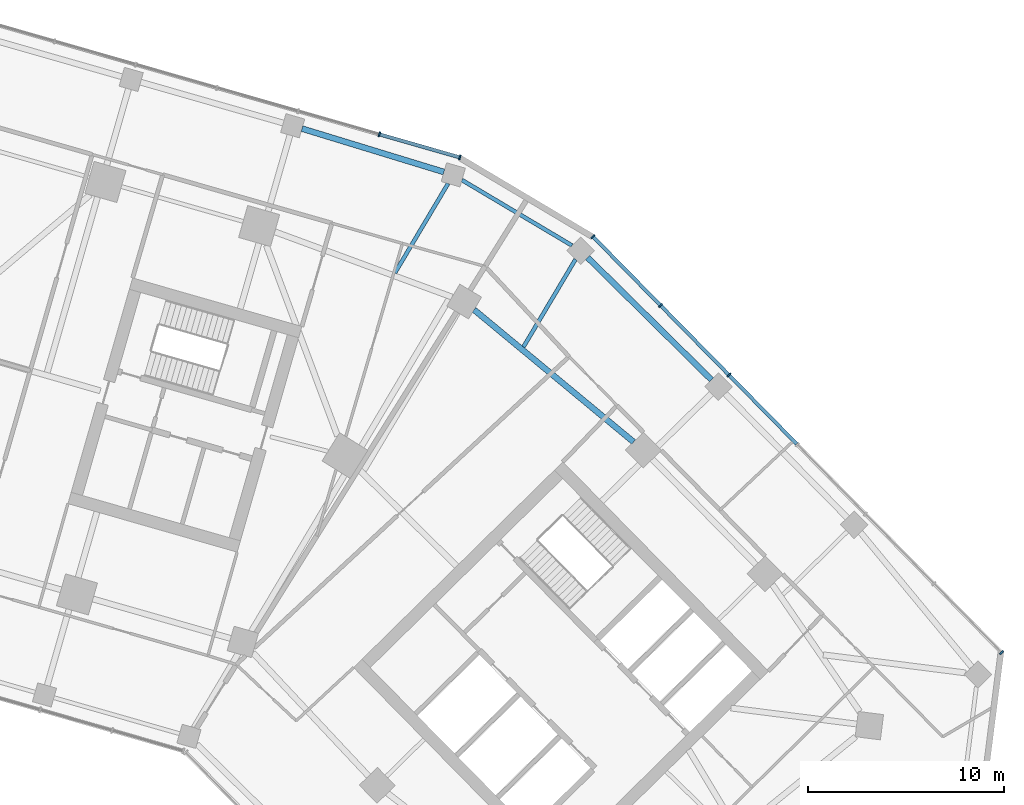
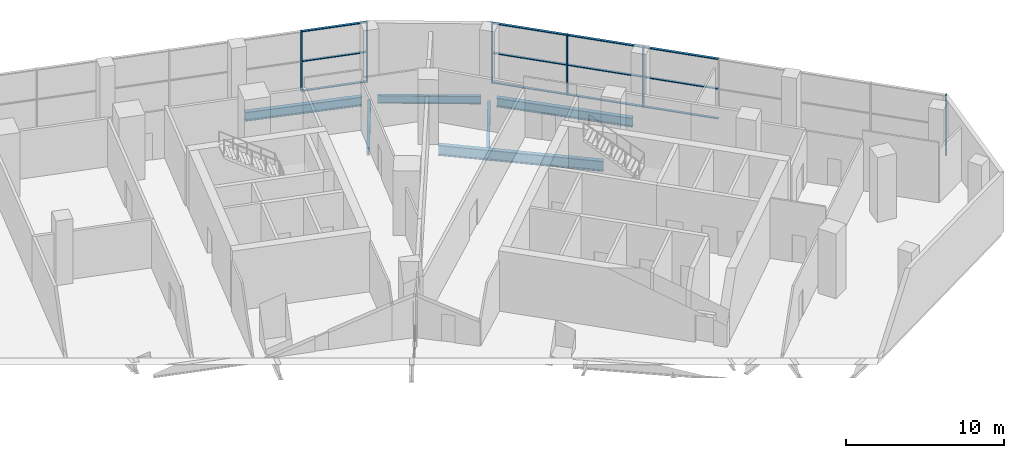
# One storey, part 8 of 18: 18 members, 6 beams, 2 elements without a shape of their own.
"""IFC4 building model written with IfcOpenShell, lengths in metres."""

from ifc_helpers import new_model, si_unit, direction, frame, origin, origin_2d, place, context, subcontext, project, spatial, rectangle, i_section, extrude, material, material_profile, profile_set, type_object, element, aggregate, save


model = new_model("IFC4")

# Units and contexts
model_context = context("Model", 3, precision=1e-05, world=origin(), true_north=direction((0.0, 1.0)))
body_context = subcontext(model_context, "Body", "Model", "MODEL_VIEW")
ifc_project = project(units=[si_unit("LENGTHUNIT", "METRE"), si_unit("AREAUNIT", "SQUARE_METRE"), si_unit("VOLUMEUNIT", "CUBIC_METRE"), si_unit("PLANEANGLEUNIT", "RADIAN"), si_unit("MASSUNIT", "GRAM", prefix="KILO")], contexts=[model_context])

# Site, building, storey
site_placement = place(None, origin())
site = spatial("IfcSite", under=ifc_project, at=site_placement, CompositionType="ELEMENT")
building_placement = place(site_placement, origin())
building = spatial("IfcBuilding", under=site, at=building_placement, Name="Binnacle Exchange Tower", CompositionType="ELEMENT")
storey_placement = place(building_placement, frame((0.0, 0.0, 6.5)))
storey = spatial("IfcBuildingStorey", under=building, at=storey_placement, Name="L01", CompositionType="ELEMENT", Elevation=6.5)

# Curtain wall, members
ifc_material_1 = material(Name="Bronze anodised aluminium frame", Category="aluminium")
curtain_wall_type = type_object("IfcCurtainWallType", Name="External wall - curtain wall north entrance", PredefinedType="NOTDEFINED", material=ifc_material_1)
curtain_wall_1_placement = place(storey_placement, origin())
curtain_wall_1 = element("IfcCurtainWall", 1, at=curtain_wall_1_placement, inside=storey, type_object=curtain_wall_type, Name="External wall curtain wall CW2-P00 L01", PredefinedType="NOTDEFINED")
ifc_material_profile_1 = material_profile(ifc_material_1, rectangle(XDim=0.25, YDim=0.080078125, at=origin_2d()), Name="AL 80x250")
ifc_profile_set_1 = profile_set([ifc_material_profile_1], Name="Bronze anodised aluminium frame")
member_type_1 = type_object("IfcMemberType", Name="CW2 MULLION 80x250", PredefinedType="MULLION", material=ifc_profile_set_1)
member_1_placement = place(storey_placement, frame((36.861572265625, 66.631591796875, 0.0), z_axis=(0.0, 0.0, 1.0), x_axis=(-0.275636946471, -0.961261813316, 0.0)))
member_1 = element("IfcMember", 2, at=member_1_placement, type_object=member_type_1, Name="CW2-P00 mullion 1", PredefinedType="MULLION", context=body_context, shape_type="SweptSolid", body=[
    extrude(rectangle(XDim=0.25, YDim=0.080078125, at=origin_2d()), origin(), (0.0, 0.0, 1.0), 4.64990234375),
])
member_2_placement = place(storey_placement, frame((32.748779296875, 67.81103515625, 0.0), z_axis=(0.0, 0.0, 1.0), x_axis=(-0.275636946471, -0.961261813316, 0.0)))
member_2 = element("IfcMember", 3, at=member_2_placement, type_object=member_type_1, Name="CW2-P00 mullion 2", PredefinedType="MULLION", context=body_context, shape_type="SweptSolid", body=[
    extrude(rectangle(XDim=0.25, YDim=0.080078125, at=origin_2d()), origin(), (0.0, 0.0, 1.0), 4.64990234375),
])

curtain_wall_2_placement = place(storey_placement, origin())
curtain_wall_2 = element("IfcCurtainWall", 4, at=curtain_wall_2_placement, inside=storey, type_object=curtain_wall_type, Name="External wall curtain wall CW2-P12 L01", PredefinedType="NOTDEFINED")
member_3_placement = place(storey_placement, frame((64.565673828125, 41.31640625, 0.0), z_axis=(0.0, 0.0, 1.0), x_axis=(-0.713250360623, -0.70090935439, 0.0)))
member_3 = element("IfcMember", 5, at=member_3_placement, type_object=member_type_1, Name="CW2-P12 mullion 1", PredefinedType="MULLION", context=body_context, shape_type="SweptSolid", body=[
    extrude(rectangle(XDim=0.25, YDim=0.080078125, at=origin_2d()), origin(), (0.0, 0.0, 1.0), 4.64990234375),
])
member_4_placement = place(storey_placement, frame((50.62451171875, 55.503173828125, 0.0), z_axis=(0.0, 0.0, 1.0), x_axis=(-0.713250360623, -0.70090935439, 0.0)))
member_4 = element("IfcMember", 6, at=member_4_placement, type_object=member_type_1, Name="CW2-P12 mullion 5", PredefinedType="MULLION", context=body_context, shape_type="SweptSolid", body=[
    extrude(rectangle(XDim=0.25, YDim=0.080078125, at=origin_2d()), origin(), (0.0, 0.0, 1.0), 4.64990234375),
])
member_5_placement = place(storey_placement, frame((47.132080078125, 59.056884765625, 0.0), z_axis=(0.0, 0.0, 1.0), x_axis=(-0.713250360623, -0.70090935439, 0.0)))
member_5 = element("IfcMember", 7, at=member_5_placement, type_object=member_type_1, Name="CW2-P12 mullion 6", PredefinedType="MULLION", context=body_context, shape_type="SweptSolid", body=[
    extrude(rectangle(XDim=0.25, YDim=0.080078125, at=origin_2d()), origin(), (0.0, 0.0, 1.0), 4.64990234375),
])
member_6_placement = place(storey_placement, frame((43.667724609375, 62.582275390625, 0.0), z_axis=(0.0, 0.0, 1.0), x_axis=(-0.713250360623, -0.70090935439, 0.0)))
member_6 = element("IfcMember", 8, at=member_6_placement, type_object=member_type_1, Name="CW2-P12 mullion 7", PredefinedType="MULLION", context=body_context, shape_type="SweptSolid", body=[
    extrude(rectangle(XDim=0.25, YDim=0.080078125, at=origin_2d()), origin(), (0.0, 0.0, 1.0), 4.64990234375),
])

# Member
ifc_material_profile_2 = material_profile(ifc_material_1, rectangle(XDim=0.179931640625, YDim=0.06005859375, at=origin_2d()), Name="AL 180x60")
ifc_profile_set_2 = profile_set([ifc_material_profile_2], Name="Bronze anodised aluminium frame")
member_type_2 = type_object("IfcMemberType", Name="CW2 TRANSOM 60x180", PredefinedType="USERDEFINED", material=ifc_profile_set_2)
member_7_placement = place(storey_placement, frame((36.8232421875, 66.642578125, 0.030029296875), z_axis=(-0.961269009253, 0.275611849979, 0.0), x_axis=(-0.275611849979, -0.961269009253, 0.0)))
member_7 = element("IfcMember", 9, at=member_7_placement, type_object=member_type_2, Name="CW2-P00 transom 1.1", ObjectType="TRANSOM", PredefinedType="USERDEFINED", context=body_context, shape_type="SweptSolid", body=[
    extrude(rectangle(XDim=0.179931640625, YDim=0.06005859375, at=origin_2d()), origin(), (0.0, 0.0, 1.0), 4.19873046875),
])

member_8_placement = place(storey_placement, frame((36.8232421875, 66.642578125, 2.324951171875), z_axis=(-0.961269009253, 0.275611849979, 0.0), x_axis=(-0.275611849979, -0.961269009253, 0.0)))
member_8 = element("IfcMember", 10, at=member_8_placement, type_object=member_type_2, Name="CW2-P00 transom 1.2", ObjectType="TRANSOM", PredefinedType="USERDEFINED", context=body_context, shape_type="SweptSolid", body=[
    extrude(rectangle(XDim=0.179931640625, YDim=0.06005859375, at=origin_2d()), origin(), (0.0, 0.0, 1.0), 4.19873046875),
])

member_9_placement = place(storey_placement, frame((36.8232421875, 66.642578125, 4.6201171875), z_axis=(-0.961269009253, 0.275611849979, 0.0), x_axis=(-0.275611849979, -0.961269009253, 0.0)))
member_9 = element("IfcMember", 11, at=member_9_placement, type_object=member_type_2, Name="CW2-P00 transom 1.3", ObjectType="TRANSOM", PredefinedType="USERDEFINED", context=body_context, shape_type="SweptSolid", body=[
    extrude(rectangle(XDim=0.179931640625, YDim=0.06005859375, at=origin_2d()), origin(), (0.0, 0.0, 1.0), 4.19873046875),
])

aggregate(curtain_wall_1, [member_1, member_2, member_7, member_8, member_9])

member_10_placement = place(storey_placement, frame((54.088623046875, 51.977783203125, 0.030029296875), z_axis=(-0.70087954903, 0.713279649052, 0.0), x_axis=(-0.713279649052, -0.70087954903, 0.0)))
member_10 = element("IfcMember", 12, at=member_10_placement, type_object=member_type_2, Name="CW2-P12 transom 4.1", ObjectType="TRANSOM", PredefinedType="USERDEFINED", context=body_context, shape_type="SweptSolid", body=[
    extrude(rectangle(XDim=0.179931640625, YDim=0.06005859375, at=origin_2d()), origin(), (0.0, 0.0, 1.0), 4.90234375),
])

member_11_placement = place(storey_placement, frame((54.088623046875, 51.977783203125, 2.324951171875), z_axis=(-0.70087954903, 0.713279649052, 0.0), x_axis=(-0.713279649052, -0.70087954903, 0.0)))
member_11 = element("IfcMember", 13, at=member_11_placement, type_object=member_type_2, Name="CW2-P12 transom 4.2", ObjectType="TRANSOM", PredefinedType="USERDEFINED", context=body_context, shape_type="SweptSolid", body=[
    extrude(rectangle(XDim=0.179931640625, YDim=0.06005859375, at=origin_2d()), origin(), (0.0, 0.0, 1.0), 4.90234375),
])

member_12_placement = place(storey_placement, frame((54.088623046875, 51.977783203125, 4.6201171875), z_axis=(-0.70087954903, 0.713279649052, 0.0), x_axis=(-0.713279649052, -0.70087954903, 0.0)))
member_12 = element("IfcMember", 14, at=member_12_placement, type_object=member_type_2, Name="CW2-P12 transom 4.3", ObjectType="TRANSOM", PredefinedType="USERDEFINED", context=body_context, shape_type="SweptSolid", body=[
    extrude(rectangle(XDim=0.179931640625, YDim=0.06005859375, at=origin_2d()), origin(), (0.0, 0.0, 1.0), 4.90234375),
])

member_13_placement = place(storey_placement, frame((50.596435546875, 55.53173828125, 0.030029296875), z_axis=(-0.700904884139, 0.7132547535, 0.0), x_axis=(-0.7132547535, -0.700904884139, 0.0)))
member_13 = element("IfcMember", 15, at=member_13_placement, type_object=member_type_2, Name="CW2-P12 transom 5.1", ObjectType="TRANSOM", PredefinedType="USERDEFINED", context=body_context, shape_type="SweptSolid", body=[
    extrude(rectangle(XDim=0.179931640625, YDim=0.06005859375, at=origin_2d()), origin(), (0.0, 0.0, 1.0), 4.902587890625),
])

member_14_placement = place(storey_placement, frame((50.596435546875, 55.53173828125, 2.324951171875), z_axis=(-0.700904884139, 0.7132547535, 0.0), x_axis=(-0.7132547535, -0.700904884139, 0.0)))
member_14 = element("IfcMember", 16, at=member_14_placement, type_object=member_type_2, Name="CW2-P12 transom 5.2", ObjectType="TRANSOM", PredefinedType="USERDEFINED", context=body_context, shape_type="SweptSolid", body=[
    extrude(rectangle(XDim=0.179931640625, YDim=0.06005859375, at=origin_2d()), origin(), (0.0, 0.0, 1.0), 4.902587890625),
])

member_15_placement = place(storey_placement, frame((50.596435546875, 55.53173828125, 4.6201171875), z_axis=(-0.700904884139, 0.7132547535, 0.0), x_axis=(-0.7132547535, -0.700904884139, 0.0)))
member_15 = element("IfcMember", 17, at=member_15_placement, type_object=member_type_2, Name="CW2-P12 transom 5.3", ObjectType="TRANSOM", PredefinedType="USERDEFINED", context=body_context, shape_type="SweptSolid", body=[
    extrude(rectangle(XDim=0.179931640625, YDim=0.06005859375, at=origin_2d()), origin(), (0.0, 0.0, 1.0), 4.902587890625),
])

member_16_placement = place(storey_placement, frame((47.10400390625, 59.08544921875, 0.030029296875), z_axis=(-0.700904224311, 0.713255401903, 0.0), x_axis=(-0.713255401903, -0.700904224311, 0.0)))
member_16 = element("IfcMember", 18, at=member_16_placement, type_object=member_type_2, Name="CW2-P12 transom 6.1", ObjectType="TRANSOM", PredefinedType="USERDEFINED", context=body_context, shape_type="SweptSolid", body=[
    extrude(rectangle(XDim=0.179931640625, YDim=0.06005859375, at=origin_2d()), origin(), (0.0, 0.0, 1.0), 4.862548828125),
])

member_17_placement = place(storey_placement, frame((47.10400390625, 59.08544921875, 2.324951171875), z_axis=(-0.700904224311, 0.713255401903, 0.0), x_axis=(-0.713255401903, -0.700904224311, 0.0)))
member_17 = element("IfcMember", 19, at=member_17_placement, type_object=member_type_2, Name="CW2-P12 transom 6.2", ObjectType="TRANSOM", PredefinedType="USERDEFINED", context=body_context, shape_type="SweptSolid", body=[
    extrude(rectangle(XDim=0.179931640625, YDim=0.06005859375, at=origin_2d()), origin(), (0.0, 0.0, 1.0), 4.862548828125),
])

member_18_placement = place(storey_placement, frame((47.10400390625, 59.08544921875, 4.6201171875), z_axis=(-0.700904224311, 0.713255401903, 0.0), x_axis=(-0.713255401903, -0.700904224311, 0.0)))
member_18 = element("IfcMember", 20, at=member_18_placement, type_object=member_type_2, Name="CW2-P12 transom 6.3", ObjectType="TRANSOM", PredefinedType="USERDEFINED", context=body_context, shape_type="SweptSolid", body=[
    extrude(rectangle(XDim=0.179931640625, YDim=0.06005859375, at=origin_2d()), origin(), (0.0, 0.0, 1.0), 4.862548828125),
])

aggregate(curtain_wall_2, [member_3, member_4, member_5, member_6, member_10, member_11, member_12, member_13, member_14, member_15, member_16, member_17, member_18])

# Beams
ifc_material_2 = material(Name="Steel S355 (SHN355)", Category="steel")
ifc_material_profile_3 = material_profile(ifc_material_2, i_section(OverallWidth=0.200927734375, OverallDepth=0.60595703125, WebThickness=0.011962890625, FlangeThickness=0.02001953125, FilletRadius=0.02197265625, at=origin_2d()), Name="H 606x201x12x20")
ifc_profile_set_3 = profile_set([ifc_material_profile_3], Name="Steel S355 (SHN355)")
beam_type_1 = type_object("IfcBeamType", Name="Edge girder H 606x201x12x20 Steel S355 (SHN355)", PredefinedType="SPANDREL", material=ifc_profile_set_3)
beam_1_placement = place(storey_placement, frame((36.972412109375, 65.474609375, -0.653076171875), z_axis=(0.859408777726, -0.51128910879, 0.0), x_axis=(0.51128910879, 0.859408777726, 0.0)))
element("IfcBeam", 21, at=beam_1_placement, inside=storey, type_object=beam_type_1, Name="S:BM:edge:L01:063", PredefinedType="SPANDREL", context=body_context, shape_type="SweptSolid", body=[
    extrude(i_section(OverallWidth=0.200927734375, OverallDepth=0.60595703125, WebThickness=0.011962890625, FlangeThickness=0.02001953125, FilletRadius=0.02197265625, at=origin_2d()), origin(), (0.0, 0.0, 1.0), 6.546142578125),
])
ifc_material_profile_4 = material_profile(ifc_material_2, i_section(OverallWidth=0.300048828125, OverallDepth=0.699951171875, WebThickness=0.012939453125, FlangeThickness=0.02392578125, FilletRadius=0.028076171875, at=origin_2d()), Name="H 700x300x13x24")
ifc_profile_set_4 = profile_set([ifc_material_profile_4], Name="Steel S355 (SHN355)")
beam_type_2 = type_object("IfcBeamType", Name="Edge girder H 700x300x13x24 Steel S355 (SHN355)", PredefinedType="SPANDREL", material=ifc_profile_set_4)
beam_2_placement = place(storey_placement, frame((28.794189453125, 68.103515625, -0.699951171875), z_axis=(0.956298600783, -0.292391836653, 0.0), x_axis=(0.292391836653, 0.956298600783, 0.0)))
element("IfcBeam", 22, at=beam_2_placement, inside=storey, type_object=beam_type_2, Name="S:BM:edge:L01:058", PredefinedType="SPANDREL", context=body_context, shape_type="SweptSolid", body=[
    extrude(i_section(OverallWidth=0.300048828125, OverallDepth=0.699951171875, WebThickness=0.012939453125, FlangeThickness=0.02392578125, FilletRadius=0.028076171875, at=origin_2d()), origin(), (0.0, 0.0, 1.0), 7.58740234375),
])
beam_3_placement = place(storey_placement, frame((43.398193359375, 61.51220703125, -0.699951171875), z_axis=(0.711633547042, -0.702550848497, 0.0), x_axis=(0.702550848497, 0.711633547042, 0.0)))
element("IfcBeam", 23, at=beam_3_placement, inside=storey, type_object=beam_type_2, Name="S:BM:edge:L01:065", PredefinedType="SPANDREL", context=body_context, shape_type="SweptSolid", body=[
    extrude(i_section(OverallWidth=0.300048828125, OverallDepth=0.699951171875, WebThickness=0.012939453125, FlangeThickness=0.02392578125, FilletRadius=0.028076171875, at=origin_2d()), origin(), (0.0, 0.0, 1.0), 8.897216796875),
])
ifc_material_profile_5 = material_profile(ifc_material_2, i_section(OverallWidth=0.300048828125, OverallDepth=0.800048828125, WebThickness=0.013916015625, FlangeThickness=0.02587890625, FilletRadius=0.028076171875, at=origin_2d()), Name="H 800x300x14x26")
ifc_profile_set_5 = profile_set([ifc_material_profile_5], Name="Steel S355 (SHN355)")
beam_type_3 = type_object("IfcBeamType", Name="Edge girder H 800x300x14x26 Steel S355 (SHN355)", PredefinedType="SPANDREL", material=ifc_profile_set_5)
beam_4_placement = place(storey_placement, frame((45.7451171875, 52.084228515625, -0.75), z_axis=(-0.769906025895, 0.638157277864, 0.0), x_axis=(-0.638157277864, -0.769906025895, 0.0)))
element("IfcBeam", 24, at=beam_4_placement, inside=storey, type_object=beam_type_3, Name="S:BM:edge:L01:067", PredefinedType="SPANDREL", context=body_context, shape_type="SweptSolid", body=[
    extrude(i_section(OverallWidth=0.300048828125, OverallDepth=0.800048828125, WebThickness=0.013916015625, FlangeThickness=0.02587890625, FilletRadius=0.028076171875, at=origin_2d()), origin(), (0.0, 0.0, 1.0), 10.59033203125),
])
ifc_material_profile_6 = material_profile(ifc_material_2, i_section(OverallWidth=0.201904296875, OverallDepth=0.612060546875, WebThickness=0.012939453125, FlangeThickness=0.02294921875, FilletRadius=0.02197265625, at=origin_2d()), Name="H 612x202x13x23")
ifc_profile_set_6 = profile_set([ifc_material_profile_6], Name="Steel S355 (SHN355)")
beam_type_4 = type_object("IfcBeamType", Name="Floor beam H 612x202x13x23 Steel S355 (SHN355)", PredefinedType="BEAM", material=ifc_profile_set_6)
beam_5_placement = place(storey_placement, frame((36.263916015625, 65.294677734375, -0.656005859375), z_axis=(-0.511292595627, -0.859406703288, 0.0), x_axis=(0.859406703288, -0.511292595627, 0.0)))
element("IfcBeam", 25, at=beam_5_placement, inside=storey, type_object=beam_type_4, Name="S:BM:cross:L01:115", PredefinedType="BEAM", context=body_context, shape_type="SweptSolid", body=[
    extrude(i_section(OverallWidth=0.201904296875, OverallDepth=0.612060546875, WebThickness=0.012939453125, FlangeThickness=0.02294921875, FilletRadius=0.02197265625, at=origin_2d()), origin(), (0.0, 0.0, 1.0), 5.31884765625),
])
beam_6_placement = place(storey_placement, frame((42.778076171875, 61.419189453125, -0.656005859375), z_axis=(-0.511272874429, -0.859418435847, 0.0), x_axis=(0.859418435847, -0.511272874429, 0.0)))
element("IfcBeam", 26, at=beam_6_placement, inside=storey, type_object=beam_type_4, Name="S:BM:cross:L01:119", PredefinedType="BEAM", context=body_context, shape_type="SweptSolid", body=[
    extrude(i_section(OverallWidth=0.201904296875, OverallDepth=0.612060546875, WebThickness=0.012939453125, FlangeThickness=0.02294921875, FilletRadius=0.02197265625, at=origin_2d()), origin(), (0.0, 0.0, 1.0), 5.208251953125),
])

save(model, "model.ifc")
